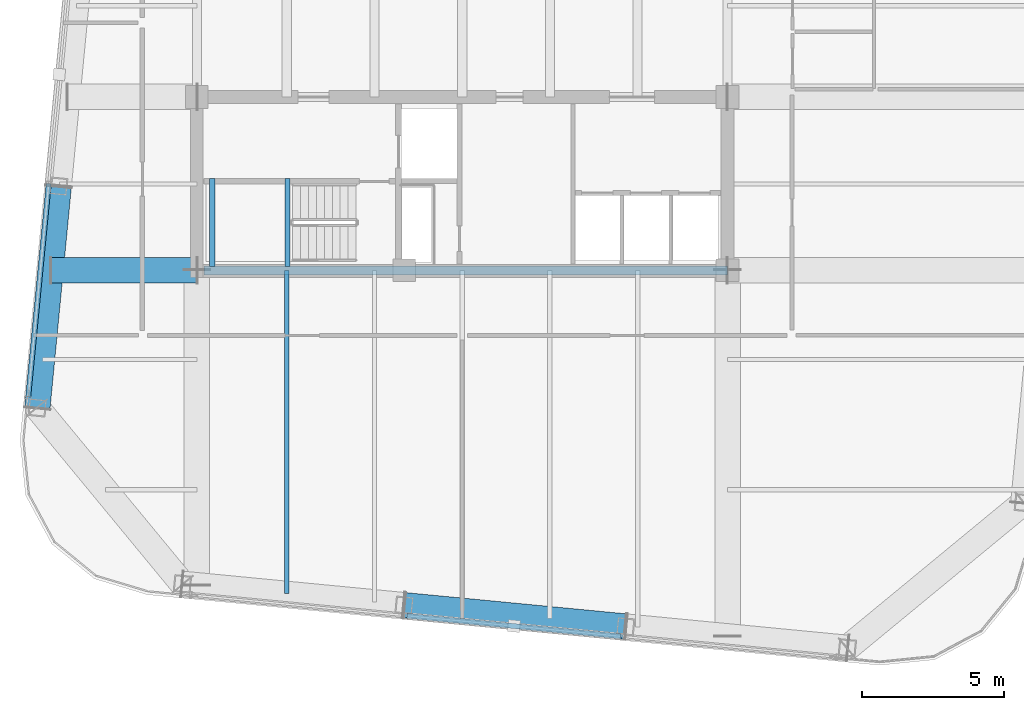
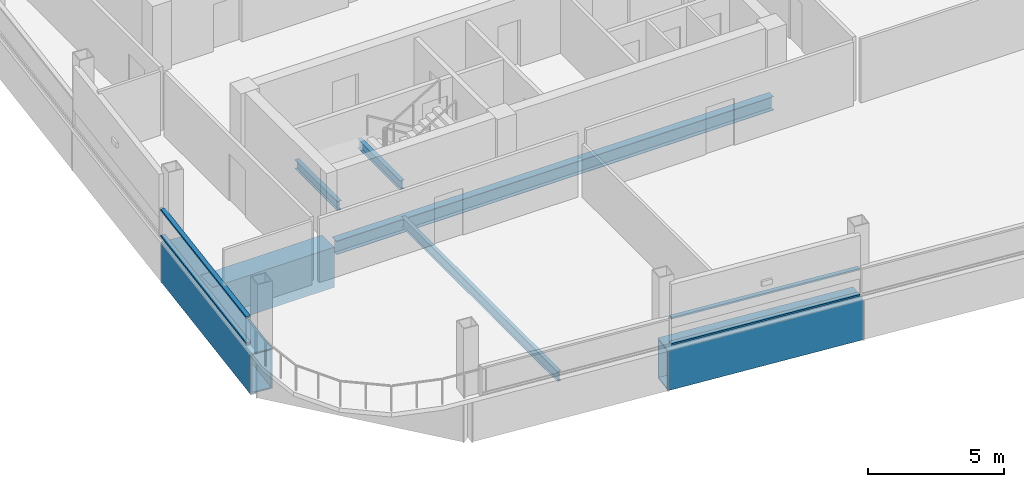
# One storey, part 3 of 21: 7 beams, 4 members, 2 elements without a shape of their own.
"""IFC4 building model written with IfcOpenShell, lengths in metres."""

from ifc_helpers import new_model, si_unit, direction, frame, origin, origin_2d, place, context, subcontext, project, spatial, hollow_rectangle, i_section, extrude, material, layer, layer_set, material_profile, profile_set, type_object, element, aggregate, save


model = new_model("IFC4")

# Units and contexts
model_context = context("Model", 3, precision=1e-05, world=origin(), true_north=direction((0.0, 1.0)))
body_context = subcontext(model_context, "Body", "Model", "MODEL_VIEW")
ifc_project = project(units=[si_unit("LENGTHUNIT", "METRE"), si_unit("AREAUNIT", "SQUARE_METRE"), si_unit("VOLUMEUNIT", "CUBIC_METRE"), si_unit("PLANEANGLEUNIT", "RADIAN"), si_unit("MASSUNIT", "GRAM", prefix="KILO")], contexts=[model_context])

# Site, building, storey
site_placement = place(None, origin())
site = spatial("IfcSite", under=ifc_project, at=site_placement, CompositionType="ELEMENT")
building_placement = place(site_placement, origin())
building = spatial("IfcBuilding", under=site, at=building_placement, Name="Qhalaya Broadcast Tower", CompositionType="ELEMENT")
storey_placement = place(building_placement, frame((0.0, 0.0, 270.300048828125)))
storey = spatial("IfcBuildingStorey", under=building, at=storey_placement, Name="L80", CompositionType="ELEMENT", Elevation=270.300048828125)

# Beams
ifc_material_1 = material(Name="Structural Steel ASTM A572 Grade 50", Category="steel")
ifc_material_profile_1 = material_profile(ifc_material_1, hollow_rectangle(XDim=0.89990234375, YDim=1.800048828125, WallThickness=0.06005859375, at=origin_2d()), Name="BOX 900x1800x60")
ifc_profile_set_1 = profile_set([ifc_material_profile_1], Name="Structural Steel ASTM A572 Grade 50")
beam_type_1 = type_object("IfcBeamType", Name="Block Cantilever Transfer Box Girder TG1", PredefinedType="USERDEFINED", material=ifc_profile_set_1)
beam_1_placement = place(storey_placement, frame((-2.052490234375, -20.58251953125, -1.090087890625), z_axis=(0.995397023367, -0.095837184179, 0.0), x_axis=(0.095837184179, 0.995397023367, 0.0)))
element("IfcBeam", 1, at=beam_1_placement, inside=storey, type_object=beam_type_1, Name="L80 TG1 L80-SPR-02", ObjectType="GIRDER", PredefinedType="USERDEFINED", context=body_context, shape_type="SweptSolid", body=[
    extrude(hollow_rectangle(XDim=0.89990234375, YDim=1.800048828125, WallThickness=0.06005859375, at=origin_2d()), origin(), (0.0, 0.0, 1.0), 7.866455078125),
])
beam_2_placement = place(storey_placement, frame((-14.25634765625, -5.77783203125, -1.090087890625), z_axis=(-0.095864972855, -0.995394347472, 0.0), x_axis=(0.995394347472, -0.095864972855, 0.0)))
element("IfcBeam", 2, at=beam_2_placement, inside=storey, type_object=beam_type_1, Name="L80 TG1 L80-SPR-15", ObjectType="GIRDER", PredefinedType="USERDEFINED", context=body_context, shape_type="SweptSolid", body=[
    extrude(hollow_rectangle(XDim=0.89990234375, YDim=1.800048828125, WallThickness=0.06005859375, at=origin_2d()), origin(), (0.0, 0.0, 1.0), 7.86669921875),
])
beam_3_placement = place(storey_placement, frame((-14.5224609375, -8.75, -1.090087890625), z_axis=(1.0, 0.0, 0.0), x_axis=(0.0, 1.0, 0.0)))
element("IfcBeam", 3, at=beam_3_placement, inside=storey, type_object=beam_type_1, Name="L80 TG1 L80-PGYW1-1", ObjectType="GIRDER", PredefinedType="USERDEFINED", context=body_context, shape_type="SweptSolid", body=[
    extrude(hollow_rectangle(XDim=0.89990234375, YDim=1.800048828125, WallThickness=0.06005859375, at=origin_2d()), origin(), (0.0, 0.0, 1.0), 5.1474609375),
])
ifc_material_2 = material(Name="Structural Steel ASTM A992 Grade 50", Category="steel")
ifc_material_profile_2 = material_profile(ifc_material_2, i_section(OverallWidth=0.154052734375, OverallDepth=0.458984375, WebThickness=0.009033203125, FlangeThickness=0.015380859375, at=origin_2d()), Name="W18X46")
ifc_profile_set_2 = profile_set([ifc_material_profile_2], Name="Structural Steel ASTM A992 Grade 50")
beam_type_2 = type_object("IfcBeamType", Name="Composite Floor Joist J04", PredefinedType="JOIST", material=ifc_profile_set_2)
beam_4_placement = place(storey_placement, frame((-6.199951171875, -20.1630859375, -0.41943359375), z_axis=(0.0, 1.0, 0.0), x_axis=(-1.0, 0.0, 0.0)))
element("IfcBeam", 4, at=beam_4_placement, inside=storey, type_object=beam_type_2, Name="L80 J04 L80-JNS1-1", PredefinedType="JOIST", context=body_context, shape_type="SweptSolid", body=[
    extrude(i_section(OverallWidth=0.154052734375, OverallDepth=0.458984375, WebThickness=0.009033203125, FlangeThickness=0.015380859375, at=origin_2d()), origin(), (0.0, 0.0, 1.0), 11.4130859375),
])
ifc_material_profile_3 = material_profile(ifc_material_2, i_section(OverallWidth=0.323974609375, OverallDepth=0.612060546875, WebThickness=0.0126953125, FlangeThickness=0.01904296875, at=origin_2d()), Name="W24X104")
ifc_profile_set_3 = profile_set([ifc_material_profile_3], Name="Structural Steel ASTM A992 Grade 50")
beam_type_3 = type_object("IfcBeamType", Name="Core Frame Tie Beam B04", PredefinedType="BEAM", material=ifc_profile_set_3)
beam_5_placement = place(storey_placement, frame((-9.1201171875, -8.75, -0.49609375), z_axis=(1.0, 0.0, 0.0), x_axis=(0.0, 1.0, 0.0)))
element("IfcBeam", 5, at=beam_5_placement, inside=storey, type_object=beam_type_3, Name="L80 B04 L80-CCS3", PredefinedType="BEAM", context=body_context, shape_type="SweptSolid", body=[
    extrude(i_section(OverallWidth=0.323974609375, OverallDepth=0.612060546875, WebThickness=0.0126953125, FlangeThickness=0.01904296875, at=origin_2d()), origin(), (0.0, 0.0, 1.0), 18.4951171875),
])

# Curtain wall, members
ifc_material_3 = material(Name="Fired Architectural Terracotta", Category="masonry")
ifc_layer = layer(ifc_material_3, 0.219970703125, Name="Fired Architectural Terracotta")
ifc_layer_set = layer_set([ifc_layer], Name="Fired Architectural Terracotta")
curtain_wall_type = type_object("IfcCurtainWallType", Name="Block-Cap Unitised Terracotta Spandrel Wall CW-07", PredefinedType="NOTDEFINED", material=ifc_layer_set)
curtain_wall_1_placement = place(storey_placement, origin())
curtain_wall_1 = element("IfcCurtainWall", 6, at=curtain_wall_1_placement, inside=storey, type_object=curtain_wall_type, Name="L80 Unitised Curtain Wall L80-CW-S", PredefinedType="NOTDEFINED")
ifc_material_4 = material(Name="Anodised Aluminium 6063-T6", Category="aluminium")
ifc_material_profile_4 = material_profile(ifc_material_4, hollow_rectangle(XDim=0.074951171875, YDim=0.179931640625, WallThickness=0.00390625, at=origin_2d()), Name="ALU-TRN 75x180x4")
ifc_profile_set_4 = profile_set([ifc_material_profile_4], Name="Anodised Aluminium 6063-T6")
member_type = type_object("IfcMemberType", Name="Unitised Curtain-Wall Transom T01", PredefinedType="USERDEFINED", material=ifc_profile_set_4)
member_1_placement = place(storey_placement, frame((5.610595703125, -21.681884765625, 0.037353515625), z_axis=(-0.995397780197, 0.095829323167, 0.0), x_axis=(0.0, 0.0, 1.0)))
member_1 = element("IfcMember", 7, at=member_1_placement, type_object=member_type, Name="CW-07 transom 2.1", ObjectType="TRANSOM", PredefinedType="USERDEFINED", context=body_context, shape_type="SweptSolid", body=[
    extrude(hollow_rectangle(XDim=0.074951171875, YDim=0.179931640625, WallThickness=0.00390625, at=origin_2d()), origin(), (0.0, 0.0, 1.0), 7.599609375),
])
member_2_placement = place(storey_placement, frame((5.610595703125, -21.681884765625, 1.202392578125), z_axis=(-0.995397780197, 0.095829323167, 0.0), x_axis=(0.0, 0.0, 1.0)))
member_2 = element("IfcMember", 8, at=member_2_placement, type_object=member_type, Name="CW-07 transom 2.2", ObjectType="TRANSOM", PredefinedType="USERDEFINED", context=body_context, shape_type="SweptSolid", body=[
    extrude(hollow_rectangle(XDim=0.074951171875, YDim=0.179931640625, WallThickness=0.00390625, at=origin_2d()), origin(), (0.0, 0.0, 1.0), 7.599609375),
])
aggregate(curtain_wall_1, [member_1, member_2])

curtain_wall_2_placement = place(storey_placement, origin())
curtain_wall_2 = element("IfcCurtainWall", 9, at=curtain_wall_2_placement, inside=storey, type_object=curtain_wall_type, Name="L80 Unitised Curtain Wall L80-CW-W", PredefinedType="NOTDEFINED")
member_3_placement = place(storey_placement, frame((-15.333984375, -13.212646484375, 0.037353515625), z_axis=(0.095852664018, 0.995395532841, 0.0), x_axis=(0.0, 0.0, 1.0)))
member_3 = element("IfcMember", 10, at=member_3_placement, type_object=member_type, Name="CW-07 transom 1.1", ObjectType="TRANSOM", PredefinedType="USERDEFINED", context=body_context, shape_type="SweptSolid", body=[
    extrude(hollow_rectangle(XDim=0.074951171875, YDim=0.179931640625, WallThickness=0.00390625, at=origin_2d()), origin(), (0.0, 0.0, 1.0), 7.562255859375),
])
member_4_placement = place(storey_placement, frame((-15.333984375, -13.212646484375, 1.202392578125), z_axis=(0.095852664018, 0.995395532841, 0.0), x_axis=(0.0, 0.0, 1.0)))
member_4 = element("IfcMember", 11, at=member_4_placement, type_object=member_type, Name="CW-07 transom 1.2", ObjectType="TRANSOM", PredefinedType="USERDEFINED", context=body_context, shape_type="SweptSolid", body=[
    extrude(hollow_rectangle(XDim=0.074951171875, YDim=0.179931640625, WallThickness=0.00390625, at=origin_2d()), origin(), (0.0, 0.0, 1.0), 7.562255859375),
])
aggregate(curtain_wall_2, [member_3, member_4])

# Beams
ifc_material_profile_5 = material_profile(ifc_material_2, i_section(OverallWidth=0.177978515625, OverallDepth=0.406005859375, WebThickness=0.0078125, FlangeThickness=0.0126953125, at=origin_2d()), Name="W16X40")
ifc_profile_set_5 = profile_set([ifc_material_profile_5], Name="Structural Steel ASTM A992 Grade 50")
beam_type_4 = type_object("IfcBeamType", Name="Upper Perimeter Spandrel Beam SP2", PredefinedType="SPANDREL", material=ifc_profile_set_5)
for number, where, z_axis, x_axis, name in (
    (12, (-8.830078125, -8.6201171875, 1.1220703125), (0.0, 1.0, 0.0), (-1.0, 0.0, 0.0), "L80 ST-2 Half-Landing Bearer Beam 1"),
    (13, (-6.175048828125, -8.6201171875, 1.1220703125), (0.0, 1.0, 0.0), (-1.0, 0.0, 0.0), "L80 ST-2 Half-Landing Bearer Beam 2"),
):
    element("IfcBeam", number, at=place(storey_placement, frame(where, z_axis=z_axis, x_axis=x_axis)), inside=storey, type_object=beam_type_4, Name=name, PredefinedType="SPANDREL", context=body_context, shape_type="SweptSolid", body=[
        extrude(i_section(OverallWidth=0.177978515625, OverallDepth=0.406005859375, WebThickness=0.0078125, FlangeThickness=0.0126953125, at=origin_2d()), origin(), (0.0, 0.0, 1.0), 3.1201171875),
    ])

save(model, "model.ifc")
